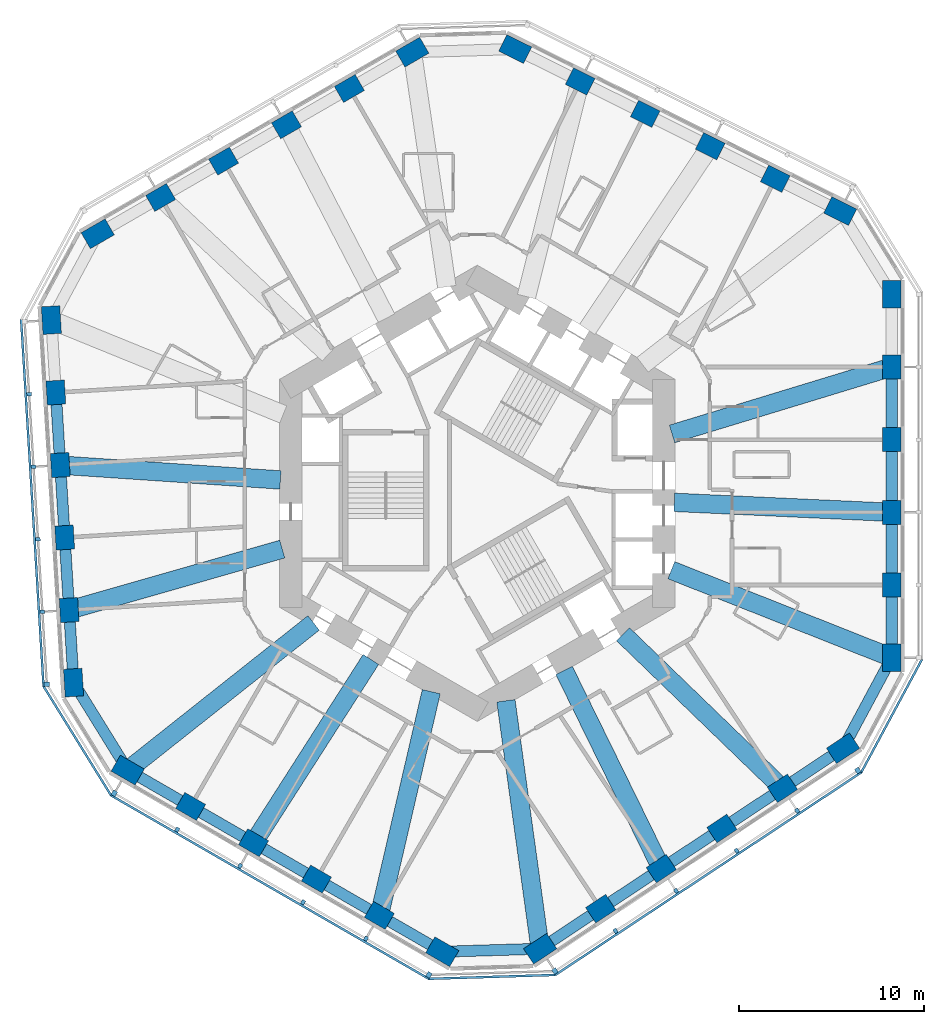
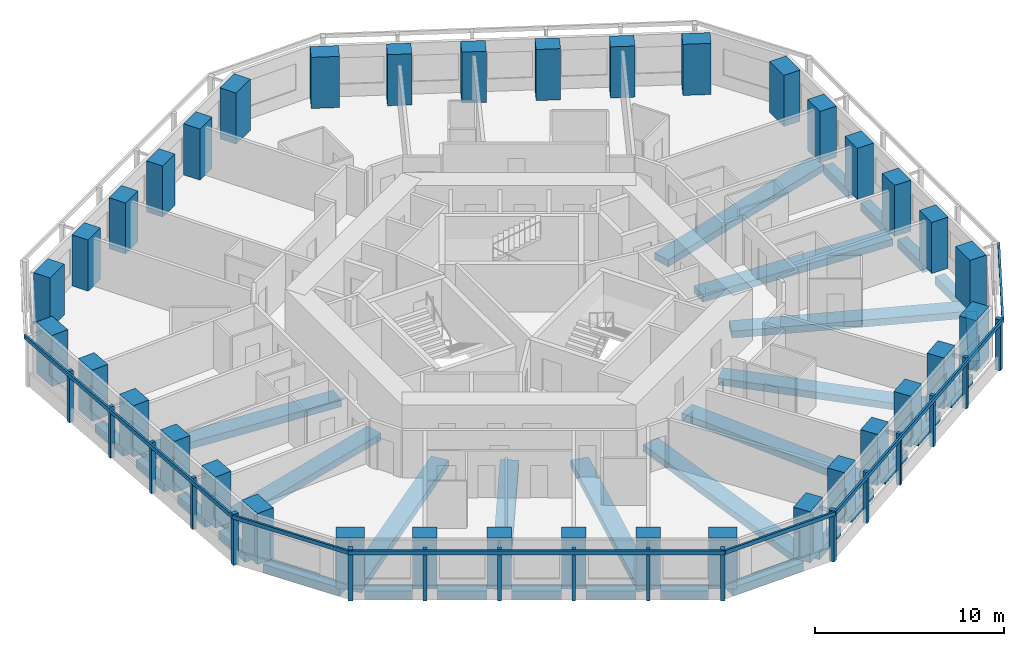
# One storey, part 1 of 12: 36 columns, 32 beams, 23 members, 6 elements without a shape of their own.
"""IFC4 building model written with IfcOpenShell, lengths in metres."""

import ifcopenshell
import ifcopenshell.guid

model = None  # the IFC model being written
_history = None  # IfcOwnerHistory: only IFC2X3 demands one
_inside = {}  # id of a spatial element -> (the spatial element, [elements in it])
_under = {}  # id of a project, library or spatial element -> (it, [spatial elements below it])
_declared = {}  # id of a project -> (the project, [libraries it declares])
_typed = {}  # id of a type object -> (the type object, [elements of that type])
_made_of = {}  # id of a material, layer set ... -> (it, [elements and type objects made of it])


def new_model(schema):
    """Start an empty IFC model of exactly this schema.

    Asked for "IFC4X3", IfcOpenShell would pick the latest addendum, in which some entities
    have other attributes; the version numbers below select the first issue.
    IFC2X3 requires an IfcOwnerHistory on every rooted entity: one is made here for all.
    """
    global model, _history
    if schema == "IFC4X3":
        model = ifcopenshell.file(schema_version=(4, 3, 0, 0))
    else:
        model = ifcopenshell.file(schema=schema)
    _inside.clear()
    _under.clear()
    _declared.clear()
    _typed.clear()
    _made_of.clear()
    _history = None
    if model.schema == "IFC2X3":
        org = make("IfcOrganization", Name="unknown")
        user = make(
            "IfcPersonAndOrganization",
            ThePerson=make("IfcPerson", FamilyName="unknown"),
            TheOrganization=org,
        )
        app = make(
            "IfcApplication",
            ApplicationDeveloper=org,
            Version="unknown",
            ApplicationFullName="unknown",
            ApplicationIdentifier="unknown",
        )
        _history = make(
            "IfcOwnerHistory",
            OwningUser=user,
            OwningApplication=app,
            ChangeAction="ADDED",
            CreationDate=0,
        )
    return model


def make(cls, **values):
    """One entity of the class cls with the attributes given. An attribute that is None is left unset."""
    return model.create_entity(
        cls, **{name: value for name, value in values.items() if value is not None}
    )


def rooted(cls, **values):
    """An entity with a GlobalId (a new one), such as an element, a storey or a relation."""
    return make(cls, GlobalId=ifcopenshell.guid.new(), OwnerHistory=_history, **values)


def si_unit(unit_type, name, prefix=None):
    """IfcSIUnit, for example si_unit("LENGTHUNIT", "METRE", prefix="MILLI")."""
    return make("IfcSIUnit", UnitType=unit_type, Prefix=prefix, Name=name)


def assignment(units):
    """IfcUnitAssignment: the units of a project."""
    return None if units is None else make("IfcUnitAssignment", Units=units)


def point(xyz):
    """IfcCartesianPoint."""
    return None if xyz is None else make("IfcCartesianPoint", Coordinates=xyz)


def direction(xyz):
    """IfcDirection."""
    return None if xyz is None else make("IfcDirection", DirectionRatios=xyz)


def frame(location, z_axis=None, x_axis=None):
    """IfcAxis2Placement3D, a coordinate frame: its origin and axes. An axis left out is left unset."""
    return make(
        "IfcAxis2Placement3D",
        Location=point(location),
        Axis=direction(z_axis),
        RefDirection=direction(x_axis),
    )


def frame_2d(location, x_axis=None):
    """IfcAxis2Placement2D, a coordinate frame in the plane: its origin and x axis."""
    return make(
        "IfcAxis2Placement2D", Location=point(location), RefDirection=direction(x_axis)
    )


def origin():
    """The frame at (0, 0, 0) with its axes left unset."""
    return frame((0.0, 0.0, 0.0))


def origin_2d():
    """The frame at (0, 0) in the plane with its x axis left unset."""
    return frame_2d((0.0, 0.0))


def place(relative_to, where):
    """IfcLocalPlacement: puts the frame where relative to a parent placement (None: the world)."""
    return make(
        "IfcLocalPlacement", PlacementRelTo=relative_to, RelativePlacement=where
    )


def context(
    kind, dimensions, precision=None, world=None, true_north=None, identifier=None
):
    """IfcGeometricRepresentationContext, for example the 3D "Model" context."""
    return make(
        "IfcGeometricRepresentationContext",
        ContextIdentifier=identifier,
        ContextType=kind,
        CoordinateSpaceDimension=dimensions,
        Precision=precision,
        WorldCoordinateSystem=world,
        TrueNorth=true_north,
    )


def subcontext(parent, identifier, kind, view, scale=None):
    """IfcGeometricRepresentationSubContext, for example "Body" below "Model"."""
    return make(
        "IfcGeometricRepresentationSubContext",
        ContextIdentifier=identifier,
        ContextType=kind,
        ParentContext=parent,
        TargetScale=scale,
        TargetView=view,
    )


def project(units=None, contexts=None):
    """IfcProject with its units and contexts."""
    return rooted(
        "IfcProject",
        Name="project",
        RepresentationContexts=contexts,
        UnitsInContext=assignment(units),
    )


def spatial(cls, under=None, at=None, **own):
    """A site, building, storey or space (cls), placed at a placement, below another one or the project."""
    s = rooted(cls, ObjectPlacement=at, **own)
    if under is not None:
        _under.setdefault(under.id(), (under, []))[1].append(s)
    return s


def profile(cls, at=None, kind="AREA", **sizes):
    """A parametric profile (cls). Its sizes go by their IFC names, for example OverallWidth=200.0."""
    return make(cls, ProfileType=kind, Position=at, **sizes)


def rectangle(**sizes):
    """IfcRectangleProfileDef."""
    return profile("IfcRectangleProfileDef", **sizes)


def extrude(swept, where, along, depth):
    """IfcExtrudedAreaSolid: the profile swept, set in the frame where, extruded along a direction by depth."""
    return make(
        "IfcExtrudedAreaSolid",
        SweptArea=swept,
        Position=where,
        ExtrudedDirection=direction(along),
        Depth=depth,
    )


def shape(context_of_items, identifier, shape_type, items):
    """IfcShapeRepresentation: the items that make up one representation, for example the "Body"."""
    return make(
        "IfcShapeRepresentation",
        ContextOfItems=context_of_items,
        RepresentationIdentifier=identifier,
        RepresentationType=shape_type,
        Items=items,
    )


def material(Name=None, Category=None):
    """IfcMaterial."""
    return make("IfcMaterial", Name=Name, Category=Category)


def material_profile(
    of_material, cross_section, Name=None, Category=None, Priority=None
):
    """IfcMaterialProfile: a cross section and its material."""
    return make(
        "IfcMaterialProfile",
        Name=Name,
        Material=of_material,
        Profile=cross_section,
        Priority=Priority,
        Category=Category,
    )


def profile_set(profiles, Name=None, composite=None):
    """IfcMaterialProfileSet."""
    return make(
        "IfcMaterialProfileSet",
        Name=Name,
        MaterialProfiles=profiles,
        CompositeProfile=composite,
    )


def made_of(thing, what):
    """Note that an element or type object is made of a material, layer set ...; save() writes the relation."""
    if what is not None:
        _made_of.setdefault(what.id(), (what, []))[1].append(thing)
    return thing


def type_object(cls, material=None, **own):
    """A type object (cls), such as IfcWallType, which elements share."""
    return made_of(rooted(cls, **own), material)


def element(
    cls,
    number,
    at=None,
    inside=None,
    cuts=None,
    type_object=None,
    material=None,
    context=None,
    identifier="Body",
    shape_type=None,
    held_by="IfcProductDefinitionShape",
    body=None,
    shapes=None,
    **own,
):
    """One element of the class cls, such as IfcWall. Its Tag is "e" and its number.

    at: its placement. inside: the storey or other place that contains it. cuts: it is an
    opening in that element (IfcRelVoidsElement). A single representation is given by context,
    identifier, shape_type and body (its items); several are given by shapes. held_by: the class
    of the entity that holds the representations. save() writes the other relations.
    """
    e = rooted(cls, Tag="e%d" % number, ObjectPlacement=at, **own)
    if body is not None:
        shapes = [shape(context, identifier, shape_type, body)]
    if shapes is not None:
        e.Representation = make(held_by, Representations=shapes)
    if inside is not None:
        _inside.setdefault(inside.id(), (inside, []))[1].append(e)
    if cuts is not None:
        rooted(
            "IfcRelVoidsElement", RelatingBuildingElement=cuts, RelatedOpeningElement=e
        )
    if type_object is not None:
        _typed.setdefault(type_object.id(), (type_object, []))[1].append(e)
    return made_of(e, material)


def aggregate(whole, parts):
    """IfcRelAggregates: a whole, such as a stair, and the parts it consists of."""
    return rooted("IfcRelAggregates", RelatingObject=whole, RelatedObjects=parts)


def save(model, path):
    """Write the relations noted so far, then the file.

    IfcRelAggregates (storeys below a building ...), IfcRelContainedInSpatialStructure (elements
    in a storey), IfcRelDefinesByType, IfcRelAssociatesMaterial and IfcRelDeclares: one each for
    every whole, place, type object, material and project.
    """
    for whole, parts in _under.values():
        aggregate(whole, parts)
    for where, things in _inside.values():
        rooted(
            "IfcRelContainedInSpatialStructure",
            RelatedElements=things,
            RelatingStructure=where,
        )
    for kind, things in _typed.values():
        rooted("IfcRelDefinesByType", RelatedObjects=things, RelatingType=kind)
    for what, things in _made_of.values():
        rooted("IfcRelAssociatesMaterial", RelatedObjects=things, RelatingMaterial=what)
    for by, libraries in _declared.values():
        rooted("IfcRelDeclares", RelatingContext=by, RelatedDefinitions=libraries)
    model.write(path)


model = new_model("IFC4")

# Units and contexts
model_context = context("Model", 3, precision=1e-05, world=origin(), true_north=direction((0.0, 1.0)))
body_context = subcontext(model_context, "Body", "Model", "MODEL_VIEW")
ifc_project = project(units=[si_unit("LENGTHUNIT", "METRE"), si_unit("AREAUNIT", "SQUARE_METRE"), si_unit("VOLUMEUNIT", "CUBIC_METRE"), si_unit("PLANEANGLEUNIT", "RADIAN"), si_unit("MASSUNIT", "GRAM", prefix="KILO")], contexts=[model_context])

# Site, building, storey
site_placement = place(None, origin())
site = spatial("IfcSite", under=ifc_project, at=site_placement, CompositionType="ELEMENT")
building_placement = place(site_placement, origin())
building = spatial("IfcBuilding", under=site, at=building_placement, Name="Vanh Sen Convention Tower", CompositionType="ELEMENT")
storey_placement = place(building_placement, frame((0.0, 0.0, 53.89990234375)))
storey = spatial("IfcBuildingStorey", under=building, at=storey_placement, Name="L10", CompositionType="ELEMENT", Elevation=53.89990234375)

# Columns
ifc_material_1 = material(Name="Concrete C80/95", Category="concrete")
ifc_material_profile_1 = material_profile(ifc_material_1, rectangle(XDim=1.300048828125, YDim=1.0, at=origin_2d()), Name="RC 1300X1000")
ifc_profile_set_1 = profile_set([ifc_material_profile_1], Name="Concrete C80/95")
column_type_1 = type_object("IfcColumnType", Name="Facade column 1300 x 1000 C80/95", PredefinedType="COLUMN", material=ifc_profile_set_1)
for number, where, z_axis, x_axis, name in (
    (1, (22.449951171875, -4.964599609375, 0.0), (0.0, 0.0, 1.0), (0.0, 1.0, 0.0), "Facade column 02 L10"),
    (2, (22.449951171875, -1.030029296875, 0.0), (0.0, 0.0, 1.0), (0.0, 1.0, 0.0), "Facade column 03 L10"),
    (3, (22.449951171875, 2.904541015625, 0.0), (0.0, 0.0, 1.0), (0.0, 1.0, 0.0), "Facade column 04 L10"),
    (4, (22.449951171875, 6.839111328125, 0.0), (0.0, 0.0, 1.0), (0.0, 1.0, 0.0), "Facade column 05 L10"),
    (5, (16.1376953125, 17.039794921875, 0.0), (0.0, 0.0, 1.0), (-0.894934361602, 0.44619781311, 0.0), "Facade column 08 L10"),
    (6, (12.616455078125, 18.79541015625, 0.0), (0.0, 0.0, 1.0), (-0.894934361602, 0.44619781311, 0.0), "Facade column 09 L10"),
    (7, (9.09521484375, 20.55078125, 0.0), (0.0, 0.0, 1.0), (-0.894934361602, 0.44619781311, 0.0), "Facade column 10 L10"),
    (8, (5.57421875, 22.306396484375, 0.0), (0.0, 0.0, 1.0), (-0.894934361602, 0.44619781311, 0.0), "Facade column 11 L10"),
    (9, (-6.925537109375, 21.924560546875, 0.0), (0.0, 0.0, 1.0), (-0.866025403784, -0.5, 0.0), "Facade column 14 L10"),
    (10, (-10.3330078125, 19.957275390625, 0.0), (0.0, 0.0, 1.0), (-0.866025403784, -0.5, 0.0), "Facade column 15 L10"),
    (11, (-13.740478515625, 17.989990234375, 0.0), (0.0, 0.0, 1.0), (-0.866025403784, -0.5, 0.0), "Facade column 16 L10"),
    (12, (-17.14794921875, 16.022705078125, 0.0), (0.0, 0.0, 1.0), (-0.866025403784, -0.5, 0.0), "Facade column 17 L10"),
    (13, (-22.82568359375, 5.455810546875, 0.0), (0.0, 0.0, 1.0), (0.061048539535, -0.998134798422, 0.0), "Facade column 20 L10"),
    (14, (-22.58544921875, 1.528564453125, 0.0), (0.0, 0.0, 1.0), (0.061048539535, -0.998134798422, 0.0), "Facade column 21 L10"),
    (15, (-22.34521484375, -2.398681640625, 0.0), (0.0, 0.0, 1.0), (0.061048539535, -0.998134798422, 0.0), "Facade column 22 L10"),
    (16, (-22.10498046875, -6.325927734375, 0.0), (0.0, 0.0, 1.0), (0.061048539535, -0.998134798422, 0.0), "Facade column 23 L10"),
    (17, (-15.5244140625, -16.9599609375, 0.0), (0.0, 0.0, 1.0), (0.866025403784, -0.5, 0.0), "Facade column 26 L10"),
    (18, (-12.1171875, -18.92724609375, 0.0), (0.0, 0.0, 1.0), (0.866025403784, -0.5, 0.0), "Facade column 27 L10"),
    (19, (-8.709716796875, -20.89453125, 0.0), (0.0, 0.0, 1.0), (0.866025403784, -0.5, 0.0), "Facade column 28 L10"),
    (20, (-5.302001953125, -22.86181640625, 0.0), (0.0, 0.0, 1.0), (0.866025403784, -0.5, 0.0), "Facade column 29 L10"),
    (21, (6.68798828125, -22.49560546875, 0.0), (0.0, 0.0, 1.0), (0.833885822067, 0.551936985312, 0.0), "Facade column 32 L10"),
    (22, (9.968994140625, -20.323974609375, 0.0), (0.0, 0.0, 1.0), (0.833885822067, 0.551936985312, 0.0), "Facade column 33 L10"),
    (23, (13.25, -18.152099609375, 0.0), (0.0, 0.0, 1.0), (0.833885822067, 0.551936985312, 0.0), "Facade column 34 L10"),
    (24, (16.531005859375, -15.980712890625, 0.0), (0.0, 0.0, 1.0), (0.833885822067, 0.551936985312, 0.0), "Facade column 35 L10"),
):
    element("IfcColumn", number, at=place(storey_placement, frame(where, z_axis=z_axis, x_axis=x_axis)), inside=storey, type_object=column_type_1, Name=name, PredefinedType="COLUMN", context=body_context, shape_type="SweptSolid", body=[
        extrude(rectangle(XDim=1.300048828125, YDim=1.0, at=origin_2d()), origin(), (0.0, 0.0, 1.0), 3.300048828125),
    ])
ifc_material_profile_2 = material_profile(ifc_material_1, rectangle(XDim=1.5, YDim=1.0, at=origin_2d()), Name="RC 1500X1000")
ifc_profile_set_2 = profile_set([ifc_material_profile_2], Name="Concrete C80/95")
column_type_2 = type_object("IfcColumnType", Name="Facade corner column 1500 x 1000 C80/95", PredefinedType="COLUMN", material=ifc_profile_set_2)
for number, where, z_axis, x_axis, name in (
    (25, (22.449951171875, -8.899169921875, 0.0), (0.0, 0.0, 1.0), (0.0, 1.0, 0.0), "Facade column 01 L10"),
    (26, (22.449951171875, 10.773681640625, 0.0), (0.0, 0.0, 1.0), (0.0, 1.0, 0.0), "Facade column 06 L10"),
    (27, (19.658935546875, 15.2841796875, 0.0), (0.0, 0.0, 1.0), (-0.894934361602, 0.44619781311, 0.0), "Facade column 07 L10"),
    (28, (2.052978515625, 24.06201171875, 0.0), (0.0, 0.0, 1.0), (-0.894934361602, 0.44619781311, 0.0), "Facade column 12 L10"),
    (29, (-3.51806640625, 23.891845703125, 0.0), (0.0, 0.0, 1.0), (-0.866025403784, -0.5, 0.0), "Facade column 13 L10"),
    (30, (-20.555419921875, 14.055419921875, 0.0), (0.0, 0.0, 1.0), (-0.866025403784, -0.5, 0.0), "Facade column 18 L10"),
    (31, (-23.06591796875, 9.383056640625, 0.0), (0.0, 0.0, 1.0), (0.061048539535, -0.998134798422, 0.0), "Facade column 19 L10"),
    (32, (-21.86474609375, -10.253173828125, 0.0), (0.0, 0.0, 1.0), (0.061048539535, -0.998134798422, 0.0), "Facade column 24 L10"),
    (33, (-18.931884765625, -14.99267578125, 0.0), (0.0, 0.0, 1.0), (0.866025403784, -0.5, 0.0), "Facade column 25 L10"),
    (34, (-1.894775390625, -24.8291015625, 0.0), (0.0, 0.0, 1.0), (0.866025403784, -0.5, 0.0), "Facade column 30 L10"),
    (35, (3.406982421875, -24.6669921875, 0.0), (0.0, 0.0, 1.0), (0.833885822067, 0.551936985312, 0.0), "Facade column 31 L10"),
    (36, (19.81201171875, -13.808837890625, 0.0), (0.0, 0.0, 1.0), (0.833885822067, 0.551936985312, 0.0), "Facade column 36 L10"),
):
    element("IfcColumn", number, at=place(storey_placement, frame(where, z_axis=z_axis, x_axis=x_axis)), inside=storey, type_object=column_type_2, Name=name, PredefinedType="COLUMN", context=body_context, shape_type="SweptSolid", body=[
        extrude(rectangle(XDim=1.5, YDim=1.0, at=origin_2d()), origin(), (0.0, 0.0, 1.0), 3.300048828125),
    ])

# Curtain wall, member
ifc_material_2 = material(Name="Concrete C50/60", Category="concrete")
curtain_wall_type = type_object("IfcCurtainWallType", Name="Outer skin hotel zone", PredefinedType="NOTDEFINED", material=ifc_material_2)
curtain_wall_1_placement = place(storey_placement, origin())
curtain_wall_1 = element("IfcCurtainWall", 37, at=curtain_wall_1_placement, inside=storey, type_object=curtain_wall_type, Name="OUTER SKIN W L10", PredefinedType="NOTDEFINED")
ifc_material_profile_3 = material_profile(ifc_material_2, rectangle(XDim=0.25, YDim=0.300048828125, at=origin_2d()), Name="Outer skin precast corner fin 250 x 300")
ifc_profile_set_3 = profile_set([ifc_material_profile_3], Name="Concrete C50/60")
member_type_1 = type_object("IfcMemberType", Name="Outer skin precast corner fin 250 x 300", PredefinedType="MULLION", material=ifc_profile_set_3)
member_1_placement = place(storey_placement, frame((-23.31201171875, -10.341796875, 0.0), z_axis=(0.0, 0.0, 1.0), x_axis=(0.061048539535, -0.998134798422, 0.0)))
member_1 = element("IfcMember", 38, at=member_1_placement, type_object=member_type_1, Name="OUTER SKIN CORNER FIN 6 W L10", PredefinedType="MULLION", context=body_context, shape_type="SweptSolid", body=[
    extrude(rectangle(XDim=0.25, YDim=0.300048828125, at=origin_2d()), origin(), (0.0, 0.0, 1.0), 3.300048828125),
])

# Curtain wall, members
curtain_wall_2_placement = place(storey_placement, origin())
curtain_wall_2 = element("IfcCurtainWall", 39, at=curtain_wall_2_placement, inside=storey, type_object=curtain_wall_type, Name="OUTER SKIN SW L10", PredefinedType="NOTDEFINED")
member_2_placement = place(storey_placement, frame((-19.656982421875, -16.248291015625, 0.0), z_axis=(0.0, 0.0, 1.0), x_axis=(0.866025403784, -0.5, 0.0)))
member_2 = element("IfcMember", 40, at=member_2_placement, type_object=member_type_1, Name="OUTER SKIN CORNER FIN 1 SW L10", PredefinedType="MULLION", context=body_context, shape_type="SweptSolid", body=[
    extrude(rectangle(XDim=0.25, YDim=0.300048828125, at=origin_2d()), origin(), (0.0, 0.0, 1.0), 3.300048828125),
])
member_3_placement = place(storey_placement, frame((-2.61962890625, -26.084716796875, 0.0), z_axis=(0.0, 0.0, 1.0), x_axis=(0.866025403784, -0.5, 0.0)))
member_3 = element("IfcMember", 41, at=member_3_placement, type_object=member_type_1, Name="OUTER SKIN CORNER FIN 6 SW L10", PredefinedType="MULLION", context=body_context, shape_type="SweptSolid", body=[
    extrude(rectangle(XDim=0.25, YDim=0.300048828125, at=origin_2d()), origin(), (0.0, 0.0, 1.0), 3.300048828125),
])

curtain_wall_3_placement = place(storey_placement, origin())
curtain_wall_3 = element("IfcCurtainWall", 42, at=curtain_wall_3_placement, inside=storey, type_object=curtain_wall_type, Name="OUTER SKIN SE L10", PredefinedType="NOTDEFINED")
member_4_placement = place(storey_placement, frame((4.207275390625, -25.876220703125, 0.0), z_axis=(0.0, 0.0, 1.0), x_axis=(0.833885822067, 0.551936985312, 0.0)))
member_4 = element("IfcMember", 43, at=member_4_placement, type_object=member_type_1, Name="OUTER SKIN CORNER FIN 1 SE L10", PredefinedType="MULLION", context=body_context, shape_type="SweptSolid", body=[
    extrude(rectangle(XDim=0.25, YDim=0.300048828125, at=origin_2d()), origin(), (0.0, 0.0, 1.0), 3.300048828125),
])
member_5_placement = place(storey_placement, frame((20.6123046875, -15.01806640625, 0.0), z_axis=(0.0, 0.0, 1.0), x_axis=(0.833885822067, 0.551936985312, 0.0)))
member_5 = element("IfcMember", 44, at=member_5_placement, type_object=member_type_1, Name="OUTER SKIN CORNER FIN 6 SE L10", PredefinedType="MULLION", context=body_context, shape_type="SweptSolid", body=[
    extrude(rectangle(XDim=0.25, YDim=0.300048828125, at=origin_2d()), origin(), (0.0, 0.0, 1.0), 3.300048828125),
])

# Member
ifc_material_profile_4 = material_profile(ifc_material_2, rectangle(XDim=0.199951171875, YDim=0.25, at=origin_2d()), Name="Outer skin precast fin 200 x 250")
ifc_profile_set_4 = profile_set([ifc_material_profile_4], Name="Concrete C50/60")
member_type_2 = type_object("IfcMemberType", Name="Outer skin precast fin 200 x 250", PredefinedType="MULLION", material=ifc_profile_set_4)
member_6_placement = place(storey_placement, frame((-24.27294921875, 5.3671875, 0.0), z_axis=(0.0, 0.0, 1.0), x_axis=(0.061048539535, -0.998134798422, 0.0)))
member_6 = element("IfcMember", 45, at=member_6_placement, type_object=member_type_2, Name="OUTER SKIN fin 2 W L10", PredefinedType="MULLION", context=body_context, shape_type="SweptSolid", body=[
    extrude(rectangle(XDim=0.199951171875, YDim=0.25, at=origin_2d()), origin(), (0.0, 0.0, 1.0), 3.300048828125),
])

member_7_placement = place(storey_placement, frame((-24.03271484375, 1.440185546875, 0.0), z_axis=(0.0, 0.0, 1.0), x_axis=(0.061048539535, -0.998134798422, 0.0)))
member_7 = element("IfcMember", 46, at=member_7_placement, type_object=member_type_2, Name="OUTER SKIN fin 3 W L10", PredefinedType="MULLION", context=body_context, shape_type="SweptSolid", body=[
    extrude(rectangle(XDim=0.199951171875, YDim=0.25, at=origin_2d()), origin(), (0.0, 0.0, 1.0), 3.300048828125),
])

member_8_placement = place(storey_placement, frame((-23.79248046875, -2.4873046875, 0.0), z_axis=(0.0, 0.0, 1.0), x_axis=(0.061048539535, -0.998134798422, 0.0)))
member_8 = element("IfcMember", 47, at=member_8_placement, type_object=member_type_2, Name="OUTER SKIN fin 4 W L10", PredefinedType="MULLION", context=body_context, shape_type="SweptSolid", body=[
    extrude(rectangle(XDim=0.199951171875, YDim=0.25, at=origin_2d()), origin(), (0.0, 0.0, 1.0), 3.300048828125),
])

member_9_placement = place(storey_placement, frame((-23.55224609375, -6.414306640625, 0.0), z_axis=(0.0, 0.0, 1.0), x_axis=(0.061048539535, -0.998134798422, 0.0)))
member_9 = element("IfcMember", 48, at=member_9_placement, type_object=member_type_2, Name="OUTER SKIN fin 5 W L10", PredefinedType="MULLION", context=body_context, shape_type="SweptSolid", body=[
    extrude(rectangle(XDim=0.199951171875, YDim=0.25, at=origin_2d()), origin(), (0.0, 0.0, 1.0), 3.300048828125),
])

member_10_placement = place(storey_placement, frame((-16.24951171875, -18.2158203125, 0.0), z_axis=(0.0, 0.0, 1.0), x_axis=(0.866025403784, -0.5, 0.0)))
member_10 = element("IfcMember", 49, at=member_10_placement, type_object=member_type_2, Name="OUTER SKIN fin 2 SW L10", PredefinedType="MULLION", context=body_context, shape_type="SweptSolid", body=[
    extrude(rectangle(XDim=0.199951171875, YDim=0.25, at=origin_2d()), origin(), (0.0, 0.0, 1.0), 3.300048828125),
])

member_11_placement = place(storey_placement, frame((-12.842041015625, -20.182861328125, 0.0), z_axis=(0.0, 0.0, 1.0), x_axis=(0.866025403784, -0.5, 0.0)))
member_11 = element("IfcMember", 50, at=member_11_placement, type_object=member_type_2, Name="OUTER SKIN fin 3 SW L10", PredefinedType="MULLION", context=body_context, shape_type="SweptSolid", body=[
    extrude(rectangle(XDim=0.199951171875, YDim=0.25, at=origin_2d()), origin(), (0.0, 0.0, 1.0), 3.300048828125),
])

member_12_placement = place(storey_placement, frame((-9.4345703125, -22.150146484375, 0.0), z_axis=(0.0, 0.0, 1.0), x_axis=(0.866025403784, -0.5, 0.0)))
member_12 = element("IfcMember", 51, at=member_12_placement, type_object=member_type_2, Name="OUTER SKIN fin 4 SW L10", PredefinedType="MULLION", context=body_context, shape_type="SweptSolid", body=[
    extrude(rectangle(XDim=0.199951171875, YDim=0.25, at=origin_2d()), origin(), (0.0, 0.0, 1.0), 3.300048828125),
])

member_13_placement = place(storey_placement, frame((-6.027099609375, -24.117431640625, 0.0), z_axis=(0.0, 0.0, 1.0), x_axis=(0.866025403784, -0.5, 0.0)))
member_13 = element("IfcMember", 52, at=member_13_placement, type_object=member_type_2, Name="OUTER SKIN fin 5 SW L10", PredefinedType="MULLION", context=body_context, shape_type="SweptSolid", body=[
    extrude(rectangle(XDim=0.199951171875, YDim=0.25, at=origin_2d()), origin(), (0.0, 0.0, 1.0), 3.300048828125),
])

member_14_placement = place(storey_placement, frame((7.48828125, -23.70458984375, 0.0), z_axis=(0.0, 0.0, 1.0), x_axis=(0.833885822067, 0.551936985312, 0.0)))
member_14 = element("IfcMember", 53, at=member_14_placement, type_object=member_type_2, Name="OUTER SKIN fin 2 SE L10", PredefinedType="MULLION", context=body_context, shape_type="SweptSolid", body=[
    extrude(rectangle(XDim=0.199951171875, YDim=0.25, at=origin_2d()), origin(), (0.0, 0.0, 1.0), 3.300048828125),
])

member_15_placement = place(storey_placement, frame((10.769287109375, -21.532958984375, 0.0), z_axis=(0.0, 0.0, 1.0), x_axis=(0.833885822067, 0.551936985312, 0.0)))
member_15 = element("IfcMember", 54, at=member_15_placement, type_object=member_type_2, Name="OUTER SKIN fin 3 SE L10", PredefinedType="MULLION", context=body_context, shape_type="SweptSolid", body=[
    extrude(rectangle(XDim=0.199951171875, YDim=0.25, at=origin_2d()), origin(), (0.0, 0.0, 1.0), 3.300048828125),
])

member_16_placement = place(storey_placement, frame((14.05029296875, -19.361328125, 0.0), z_axis=(0.0, 0.0, 1.0), x_axis=(0.833885822067, 0.551936985312, 0.0)))
member_16 = element("IfcMember", 55, at=member_16_placement, type_object=member_type_2, Name="OUTER SKIN fin 4 SE L10", PredefinedType="MULLION", context=body_context, shape_type="SweptSolid", body=[
    extrude(rectangle(XDim=0.199951171875, YDim=0.25, at=origin_2d()), origin(), (0.0, 0.0, 1.0), 3.300048828125),
])

member_17_placement = place(storey_placement, frame((17.331298828125, -17.189697265625, 0.0), z_axis=(0.0, 0.0, 1.0), x_axis=(0.833885822067, 0.551936985312, 0.0)))
member_17 = element("IfcMember", 56, at=member_17_placement, type_object=member_type_2, Name="OUTER SKIN fin 5 SE L10", PredefinedType="MULLION", context=body_context, shape_type="SweptSolid", body=[
    extrude(rectangle(XDim=0.199951171875, YDim=0.25, at=origin_2d()), origin(), (0.0, 0.0, 1.0), 3.300048828125),
])

ifc_material_profile_5 = material_profile(ifc_material_2, rectangle(XDim=0.1201171875, YDim=0.25, at=origin_2d()), Name="Outer skin precast spandrel band 250 x 120")
ifc_profile_set_5 = profile_set([ifc_material_profile_5], Name="Concrete C50/60")
member_type_3 = type_object("IfcMemberType", Name="Outer skin precast spandrel band 250 x 120", PredefinedType="USERDEFINED", material=ifc_profile_set_5)
member_18_placement = place(storey_placement, frame((-24.705322265625, 9.408203125, 3.175048828125), z_axis=(0.061050017989, -0.998134707995, 0.0), x_axis=(0.998134707995, 0.061050017989, 0.0)))
member_18 = element("IfcMember", 57, at=member_18_placement, type_object=member_type_3, Name="OUTER SKIN spandrel band W L10", ObjectType="TRANSOM", PredefinedType="USERDEFINED", context=body_context, shape_type="SweptSolid", body=[
    extrude(rectangle(XDim=0.1201171875, YDim=0.25, at=origin_2d()), origin(), (0.0, 0.0, 1.0), 19.923095703125),
])

aggregate(curtain_wall_1, [member_6, member_7, member_8, member_9, member_1, member_18])

# Curtain wall, member
curtain_wall_4_placement = place(storey_placement, origin())
curtain_wall_4 = element("IfcCurtainWall", 58, at=curtain_wall_4_placement, inside=storey, type_object=curtain_wall_type, Name="OUTER SKIN CH4 L10", PredefinedType="NOTDEFINED")
member_19_placement = place(storey_placement, frame((-23.49072265625, -10.4521484375, 3.175048828125), z_axis=(0.526196095141, -0.850363257354, 0.0), x_axis=(0.850363257354, 0.526196095141, 0.0)))
member_19 = element("IfcMember", 59, at=member_19_placement, type_object=member_type_3, Name="OUTER SKIN spandrel band CH4 L10", ObjectType="TRANSOM", PredefinedType="USERDEFINED", context=body_context, shape_type="SweptSolid", body=[
    extrude(rectangle(XDim=0.1201171875, YDim=0.25, at=origin_2d()), origin(), (0.0, 0.0, 1.0), 6.946044921875),
])
aggregate(curtain_wall_4, [member_19])

# Member
member_20_placement = place(storey_placement, frame((-19.85791015625, -16.34619140625, 3.175048828125), z_axis=(0.866028047459, -0.499995420993, 0.0), x_axis=(0.499995420993, 0.866028047459, 0.0)))
member_20 = element("IfcMember", 60, at=member_20_placement, type_object=member_type_3, Name="OUTER SKIN spandrel band SW L10", ObjectType="TRANSOM", PredefinedType="USERDEFINED", context=body_context, shape_type="SweptSolid", body=[
    extrude(rectangle(XDim=0.1201171875, YDim=0.25, at=origin_2d()), origin(), (0.0, 0.0, 1.0), 19.923095703125),
])

aggregate(curtain_wall_2, [member_2, member_10, member_11, member_12, member_13, member_3, member_20])

# Curtain wall, member
curtain_wall_5_placement = place(storey_placement, origin())
curtain_wall_5 = element("IfcCurtainWall", 61, at=curtain_wall_5_placement, inside=storey, type_object=curtain_wall_type, Name="OUTER SKIN CH5 L10", PredefinedType="NOTDEFINED")
member_21_placement = place(storey_placement, frame((-2.61328125, -26.294677734375, 3.175048828125), z_axis=(0.99953396928, 0.030526124156, 0.0), x_axis=(-0.030526124156, 0.99953396928, 0.0)))
member_21 = element("IfcMember", 62, at=member_21_placement, type_object=member_type_3, Name="OUTER SKIN spandrel band CH5 L10", ObjectType="TRANSOM", PredefinedType="USERDEFINED", context=body_context, shape_type="SweptSolid", body=[
    extrude(rectangle(XDim=0.1201171875, YDim=0.25, at=origin_2d()), origin(), (0.0, 0.0, 1.0), 6.830078125),
])
aggregate(curtain_wall_5, [member_21])

# Member
member_22_placement = place(storey_placement, frame((4.205078125, -26.099609375, 3.175048828125), z_axis=(0.833883851182, 0.551939962984, 0.0), x_axis=(-0.551939962984, 0.833883851182, 0.0)))
member_22 = element("IfcMember", 63, at=member_22_placement, type_object=member_type_3, Name="OUTER SKIN spandrel band SE L10", ObjectType="TRANSOM", PredefinedType="USERDEFINED", context=body_context, shape_type="SweptSolid", body=[
    extrude(rectangle(XDim=0.1201171875, YDim=0.25, at=origin_2d()), origin(), (0.0, 0.0, 1.0), 19.923095703125),
])

aggregate(curtain_wall_3, [member_4, member_14, member_15, member_16, member_17, member_5, member_22])

# Curtain wall, member
curtain_wall_6_placement = place(storey_placement, origin())
curtain_wall_6 = element("IfcCurtainWall", 64, at=curtain_wall_6_placement, inside=storey, type_object=curtain_wall_type, Name="OUTER SKIN CH6 L10", PredefinedType="NOTDEFINED")
member_23_placement = place(storey_placement, frame((20.797119140625, -15.117431640625, 3.175048828125), z_axis=(0.473324148816, 0.880888330123, 0.0), x_axis=(-0.880888330123, 0.473324148816, 0.0)))
member_23 = element("IfcMember", 65, at=member_23_placement, type_object=member_type_3, Name="OUTER SKIN spandrel band CH6 L10", ObjectType="TRANSOM", PredefinedType="USERDEFINED", context=body_context, shape_type="SweptSolid", body=[
    extrude(rectangle(XDim=0.1201171875, YDim=0.25, at=origin_2d()), origin(), (0.0, 0.0, 1.0), 6.9462890625),
])
aggregate(curtain_wall_6, [member_23])

# Beams
ifc_material_3 = material(Name="Concrete C50/60", Category="concrete")
ifc_material_profile_6 = material_profile(ifc_material_3, rectangle(XDim=1.0, YDim=0.449951171875, at=origin_2d()), Name="RC 1000X450")
ifc_profile_set_6 = profile_set([ifc_material_profile_6], Name="Concrete C50/60")
beam_type_1 = type_object("IfcBeamType", Name="Radial floor beam 1000 x 450", PredefinedType="BEAM", material=ifc_profile_set_6)
beam_1_placement = place(storey_placement, frame((22.138916015625, -8.77587890625, -0.474853515625), z_axis=(-0.929624483463, 0.368508235655, 0.0), x_axis=(-0.368508235655, -0.929624483463, 0.0)))
element("IfcBeam", 66, at=beam_1_placement, inside=storey, type_object=beam_type_1, Name="Radial beam 01 L10", PredefinedType="BEAM", context=body_context, shape_type="SweptSolid", body=[
    extrude(rectangle(XDim=1.0, YDim=0.449951171875, at=origin_2d()), origin(), (0.0, 0.0, 1.0), 12.50830078125),
])
beam_2_placement = place(storey_placement, frame((21.977783203125, -1.00830078125, -0.474853515625), z_axis=(-0.998949774884, 0.045818634401, 0.0), x_axis=(-0.045818634401, -0.998949774884, 0.0)))
element("IfcBeam", 67, at=beam_2_placement, inside=storey, type_object=beam_type_1, Name="Radial beam 02 L10", PredefinedType="BEAM", context=body_context, shape_type="SweptSolid", body=[
    extrude(rectangle(XDim=1.0, YDim=0.449951171875, at=origin_2d()), origin(), (0.0, 0.0, 1.0), 11.317626953125),
])
beam_3_placement = place(storey_placement, frame((22.1005859375, 6.732666015625, -0.474853515625), z_axis=(-0.95659843119, -0.291409405211, 0.0), x_axis=(0.291409405211, -0.95659843119, 0.0)))
element("IfcBeam", 68, at=beam_3_placement, inside=storey, type_object=beam_type_1, Name="Radial beam 03 L10", PredefinedType="BEAM", context=body_context, shape_type="SweptSolid", body=[
    extrude(rectangle(XDim=1.0, YDim=0.449951171875, at=origin_2d()), origin(), (0.0, 0.0, 1.0), 12.0751953125),
])
beam_4_placement = place(storey_placement, frame((-22.15185546875, 1.499267578125, -0.474853515625), z_axis=(0.997718156648, -0.067516515721, 0.0), x_axis=(0.067516515721, 0.997718156648, 0.0)))
element("IfcBeam", 69, at=beam_4_placement, inside=storey, type_object=beam_type_1, Name="Radial beam 11 L10", PredefinedType="BEAM", context=body_context, shape_type="SweptSolid", body=[
    extrude(rectangle(XDim=1.0, YDim=0.449951171875, at=origin_2d()), origin(), (0.0, 0.0, 1.0), 11.51708984375),
])
beam_5_placement = place(storey_placement, frame((-21.723876953125, -6.216796875, -0.474853515625), z_axis=(0.961405669021, 0.275134766203, 0.0), x_axis=(-0.275134766203, 0.961405669021, 0.0)))
element("IfcBeam", 70, at=beam_5_placement, inside=storey, type_object=beam_type_1, Name="Radial beam 12 L10", PredefinedType="BEAM", context=body_context, shape_type="SweptSolid", body=[
    extrude(rectangle(XDim=1.0, YDim=0.449951171875, at=origin_2d()), origin(), (0.0, 0.0, 1.0), 11.614501953125),
])
beam_6_placement = place(storey_placement, frame((-18.669677734375, -14.784912109375, -0.474853515625), z_axis=(0.783946075621, 0.620828922102, 0.0), x_axis=(-0.620828922102, 0.783946075621, 0.0)))
element("IfcBeam", 71, at=beam_6_placement, inside=storey, type_object=beam_type_1, Name="Radial beam 13 L10", PredefinedType="BEAM", context=body_context, shape_type="SweptSolid", body=[
    extrude(rectangle(XDim=1.0, YDim=0.449951171875, at=origin_2d()), origin(), (0.0, 0.0, 1.0), 12.508056640625),
])
beam_7_placement = place(storey_placement, frame((-11.8623046875, -18.529296875, -0.474853515625), z_axis=(0.539168157523, 0.842198134594, 0.0), x_axis=(-0.842198134594, 0.539168157523, 0.0)))
element("IfcBeam", 72, at=beam_7_placement, inside=storey, type_object=beam_type_1, Name="Radial beam 14 L10", PredefinedType="BEAM", context=body_context, shape_type="SweptSolid", body=[
    extrude(rectangle(XDim=1.0, YDim=0.449951171875, at=origin_2d()), origin(), (0.0, 0.0, 1.0), 11.31787109375),
])
beam_8_placement = place(storey_placement, frame((-5.219482421875, -22.505859375, -0.474853515625), z_axis=(0.225921069531, 0.974145610441, 0.0), x_axis=(-0.974145610441, 0.225921069531, 0.0)))
element("IfcBeam", 73, at=beam_8_placement, inside=storey, type_object=beam_type_1, Name="Radial beam 15 L10", PredefinedType="BEAM", context=body_context, shape_type="SweptSolid", body=[
    extrude(rectangle(XDim=1.0, YDim=0.449951171875, at=origin_2d()), origin(), (0.0, 0.0, 1.0), 12.0751953125),
])
beam_9_placement = place(storey_placement, frame((3.364501953125, -24.3603515625, -0.474853515625), z_axis=(-0.136807007089, 0.990597719971, 0.0), x_axis=(-0.990597719971, -0.136807007089, 0.0)))
element("IfcBeam", 74, at=beam_9_placement, inside=storey, type_object=beam_type_1, Name="Radial beam 16 L10", PredefinedType="BEAM", context=body_context, shape_type="SweptSolid", body=[
    extrude(rectangle(XDim=1.0, YDim=0.449951171875, at=origin_2d()), origin(), (0.0, 0.0, 1.0), 13.24853515625),
])
beam_10_placement = place(storey_placement, frame((9.777587890625, -19.933837890625, -0.474853515625), z_axis=(-0.440374700847, 0.897814080339, 0.0), x_axis=(-0.897814080339, -0.440374700847, 0.0)))
element("IfcBeam", 75, at=beam_10_placement, inside=storey, type_object=beam_type_1, Name="Radial beam 17 L10", PredefinedType="BEAM", context=body_context, shape_type="SweptSolid", body=[
    extrude(rectangle(XDim=1.0, YDim=0.449951171875, at=origin_2d()), origin(), (0.0, 0.0, 1.0), 11.516845703125),
])
beam_11_placement = place(storey_placement, frame((16.245849609375, -15.705078125, -0.474853515625), z_axis=(-0.718976471313, 0.695034411881, 0.0), x_axis=(-0.695034411881, -0.718976471313, 0.0)))
element("IfcBeam", 76, at=beam_11_placement, inside=storey, type_object=beam_type_1, Name="Radial beam 18 L10", PredefinedType="BEAM", context=body_context, shape_type="SweptSolid", body=[
    extrude(rectangle(XDim=1.0, YDim=0.449951171875, at=origin_2d()), origin(), (0.0, 0.0, 1.0), 11.614501953125),
])
ifc_material_profile_7 = material_profile(ifc_material_3, rectangle(XDim=0.60009765625, YDim=0.550048828125, at=origin_2d()), Name="RC 600X550")
ifc_profile_set_7 = profile_set([ifc_material_profile_7], Name="Concrete C50/60")
beam_type_2 = type_object("IfcBeamType", Name="Spandrel beam 600 x 550", PredefinedType="SPANDREL", material=ifc_profile_set_7)
beam_12_placement = place(storey_placement, frame((22.449951171875, -8.154296875, -0.52490234375), z_axis=(0.0, 1.0, 0.0), x_axis=(-1.0, 0.0, 0.0)))
element("IfcBeam", 77, at=beam_12_placement, inside=storey, type_object=beam_type_2, Name="Spandrel beam 01 L10", PredefinedType="SPANDREL", context=body_context, shape_type="SweptSolid", body=[
    extrude(rectangle(XDim=0.60009765625, YDim=0.550048828125, at=origin_2d()), origin(), (0.0, 0.0, 1.0), 2.544677734375),
])
for number, where, z_axis, x_axis, name in (
    (78, (22.449951171875, -4.319580078125, -0.52490234375), (0.0, 1.0, 0.0), (-1.0, 0.0, 0.0), "Spandrel beam 02 L10"),
    (79, (22.449951171875, -0.385009765625, -0.52490234375), (0.0, 1.0, 0.0), (-1.0, 0.0, 0.0), "Spandrel beam 03 L10"),
    (80, (22.449951171875, 3.549560546875, -0.52490234375), (0.0, 1.0, 0.0), (-1.0, 0.0, 0.0), "Spandrel beam 04 L10"),
    (81, (-22.7861328125, 4.81201171875, -0.52490234375), (0.061021844318, -0.998136430813, 0.0), (0.998136430813, 0.061021844318, 0.0), "Spandrel beam 20 L10"),
    (82, (-22.5458984375, 0.884765625, -0.52490234375), (0.061021844318, -0.998136430813, 0.0), (0.998136430813, 0.061021844318, 0.0), "Spandrel beam 21 L10"),
    (83, (-22.305908203125, -3.04248046875, -0.52490234375), (0.061113817246, -0.998130803723, 0.0), (0.998130803723, 0.061113817246, 0.0), "Spandrel beam 22 L10"),
):
    element("IfcBeam", number, at=place(storey_placement, frame(where, z_axis=z_axis, x_axis=x_axis)), inside=storey, type_object=beam_type_2, Name=name, PredefinedType="SPANDREL", context=body_context, shape_type="SweptSolid", body=[
        extrude(rectangle(XDim=0.60009765625, YDim=0.550048828125, at=origin_2d()), origin(), (0.0, 0.0, 1.0), 2.64453125),
    ])
beam_13_placement = place(storey_placement, frame((-22.065673828125, -6.9697265625, -0.52490234375), z_axis=(0.061022277531, -0.998136404328, 0.0), x_axis=(0.998136404328, 0.061022277531, 0.0)))
element("IfcBeam", 84, at=beam_13_placement, inside=storey, type_object=beam_type_2, Name="Spandrel beam 23 L10", PredefinedType="SPANDREL", context=body_context, shape_type="SweptSolid", body=[
    extrude(rectangle(XDim=0.60009765625, YDim=0.550048828125, at=origin_2d()), origin(), (0.0, 0.0, 1.0), 2.54443359375),
])
beam_14_placement = place(storey_placement, frame((-21.605224609375, -10.672607421875, -0.52490234375), z_axis=(0.526195204359, -0.850363808561, 0.0), x_axis=(0.850363808561, 0.526195204359, 0.0)))
element("IfcBeam", 85, at=beam_14_placement, inside=storey, type_object=beam_type_2, Name="Spandrel beam 24 L10", PredefinedType="SPANDREL", context=body_context, shape_type="SweptSolid", body=[
    extrude(rectangle(XDim=0.60009765625, YDim=0.550048828125, at=origin_2d()), origin(), (0.0, 0.0, 1.0), 4.58740234375),
])
beam_15_placement = place(storey_placement, frame((-18.286865234375, -15.365234375, -0.52490234375), z_axis=(0.866056180903, -0.499946688677, 0.0), x_axis=(0.499946688677, 0.866056180903, 0.0)))
element("IfcBeam", 86, at=beam_15_placement, inside=storey, type_object=beam_type_2, Name="Spandrel beam 25 L10", PredefinedType="SPANDREL", context=body_context, shape_type="SweptSolid", body=[
    extrude(rectangle(XDim=0.60009765625, YDim=0.550048828125, at=origin_2d()), origin(), (0.0, 0.0, 1.0), 2.544677734375),
])
beam_16_placement = place(storey_placement, frame((-14.9658203125, -17.282470703125, -0.52490234375), z_axis=(0.866007234284, -0.500031469177, 0.0), x_axis=(0.500031469177, 0.866007234284, 0.0)))
element("IfcBeam", 87, at=beam_16_placement, inside=storey, type_object=beam_type_2, Name="Spandrel beam 26 L10", PredefinedType="SPANDREL", context=body_context, shape_type="SweptSolid", body=[
    extrude(rectangle(XDim=0.60009765625, YDim=0.550048828125, at=origin_2d()), origin(), (0.0, 0.0, 1.0), 2.644287109375),
])
for number, where, z_axis, x_axis, name in (
    (88, (-11.55859375, -19.249755859375, -0.52490234375), (0.866030315638, -0.499991492324, 0.0), (0.499991492324, 0.866030315638, 0.0), "Spandrel beam 27 L10"),
    (89, (-8.15087890625, -21.217041015625, -0.52490234375), (0.866030315638, -0.499991492324, 0.0), (0.499991492324, 0.866030315638, 0.0), "Spandrel beam 28 L10"),
):
    element("IfcBeam", number, at=place(storey_placement, frame(where, z_axis=z_axis, x_axis=x_axis)), inside=storey, type_object=beam_type_2, Name=name, PredefinedType="SPANDREL", context=body_context, shape_type="SweptSolid", body=[
        extrude(rectangle(XDim=0.60009765625, YDim=0.550048828125, at=origin_2d()), origin(), (0.0, 0.0, 1.0), 2.64453125),
    ])
beam_17_placement = place(storey_placement, frame((-4.743408203125, -23.184326171875, -0.52490234375), z_axis=(0.866032197868, -0.499988232117, 0.0), x_axis=(0.499988232117, 0.866032197868, 0.0)))
element("IfcBeam", 90, at=beam_17_placement, inside=storey, type_object=beam_type_2, Name="Spandrel beam 29 L10", PredefinedType="SPANDREL", context=body_context, shape_type="SweptSolid", body=[
    extrude(rectangle(XDim=0.60009765625, YDim=0.550048828125, at=origin_2d()), origin(), (0.0, 0.0, 1.0), 2.54443359375),
])
beam_18_placement = place(storey_placement, frame((-1.4345703125, -24.81494140625, -0.52490234375), z_axis=(0.999534100542, 0.030521825872, 0.0), x_axis=(-0.030521825872, 0.999534100542, 0.0)))
element("IfcBeam", 91, at=beam_18_placement, inside=storey, type_object=beam_type_2, Name="Spandrel beam 30 L10", PredefinedType="SPANDREL", context=body_context, shape_type="SweptSolid", body=[
    extrude(rectangle(XDim=0.60009765625, YDim=0.550048828125, at=origin_2d()), origin(), (0.0, 0.0, 1.0), 4.38330078125),
])
beam_19_placement = place(storey_placement, frame((4.028076171875, -24.255859375, -0.52490234375), z_axis=(0.833905579906, 0.551907133313, 0.0), x_axis=(-0.551907133313, 0.833905579906, 0.0)))
element("IfcBeam", 92, at=beam_19_placement, inside=storey, type_object=beam_type_2, Name="Spandrel beam 31 L10", PredefinedType="SPANDREL", context=body_context, shape_type="SweptSolid", body=[
    extrude(rectangle(XDim=0.60009765625, YDim=0.550048828125, at=origin_2d()), origin(), (0.0, 0.0, 1.0), 2.54443359375),
])
beam_20_placement = place(storey_placement, frame((7.225830078125, -22.139404296875, -0.52490234375), z_axis=(0.833892212548, 0.551927330227, 0.0), x_axis=(-0.551927330227, 0.833892212548, 0.0)))
element("IfcBeam", 93, at=beam_20_placement, inside=storey, type_object=beam_type_2, Name="Spandrel beam 32 L10", PredefinedType="SPANDREL", context=body_context, shape_type="SweptSolid", body=[
    extrude(rectangle(XDim=0.60009765625, YDim=0.550048828125, at=origin_2d()), origin(), (0.0, 0.0, 1.0), 2.644287109375),
])
beam_21_placement = place(storey_placement, frame((10.5068359375, -19.968017578125, -0.52490234375), z_axis=(0.833849719202, 0.551991526916, 0.0), x_axis=(-0.551991526916, 0.833849719202, 0.0)))
element("IfcBeam", 94, at=beam_21_placement, inside=storey, type_object=beam_type_2, Name="Spandrel beam 33 L10", PredefinedType="SPANDREL", context=body_context, shape_type="SweptSolid", body=[
    extrude(rectangle(XDim=0.60009765625, YDim=0.550048828125, at=origin_2d()), origin(), (0.0, 0.0, 1.0), 2.64453125),
])
beam_22_placement = place(storey_placement, frame((13.787841796875, -17.796142578125, -0.52490234375), z_axis=(0.833892212548, 0.551927330227, 0.0), x_axis=(-0.551927330227, 0.833892212548, 0.0)))
element("IfcBeam", 95, at=beam_22_placement, inside=storey, type_object=beam_type_2, Name="Spandrel beam 34 L10", PredefinedType="SPANDREL", context=body_context, shape_type="SweptSolid", body=[
    extrude(rectangle(XDim=0.60009765625, YDim=0.550048828125, at=origin_2d()), origin(), (0.0, 0.0, 1.0), 2.644287109375),
])
beam_23_placement = place(storey_placement, frame((17.06884765625, -15.62451171875, -0.52490234375), z_axis=(0.833905579906, 0.551907133313, 0.0), x_axis=(-0.551907133313, 0.833905579906, 0.0)))
element("IfcBeam", 96, at=beam_23_placement, inside=storey, type_object=beam_type_2, Name="Spandrel beam 35 L10", PredefinedType="SPANDREL", context=body_context, shape_type="SweptSolid", body=[
    extrude(rectangle(XDim=0.60009765625, YDim=0.550048828125, at=origin_2d()), origin(), (0.0, 0.0, 1.0), 2.54443359375),
])
beam_24_placement = place(storey_placement, frame((20.04541015625, -13.37451171875, -0.52490234375), z_axis=(0.473290328657, 0.880906501735, 0.0), x_axis=(-0.880906501735, 0.473290328657, 0.0)))
element("IfcBeam", 97, at=beam_24_placement, inside=storey, type_object=beam_type_2, Name="Spandrel beam 36 L10", PredefinedType="SPANDREL", context=body_context, shape_type="SweptSolid", body=[
    extrude(rectangle(XDim=0.60009765625, YDim=0.550048828125, at=origin_2d()), origin(), (0.0, 0.0, 1.0), 4.58740234375),
])

save(model, "model.ifc")
